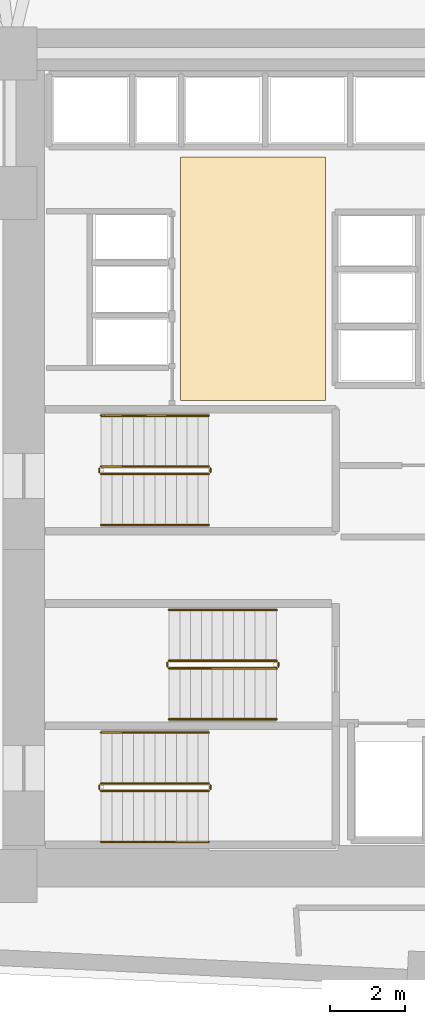
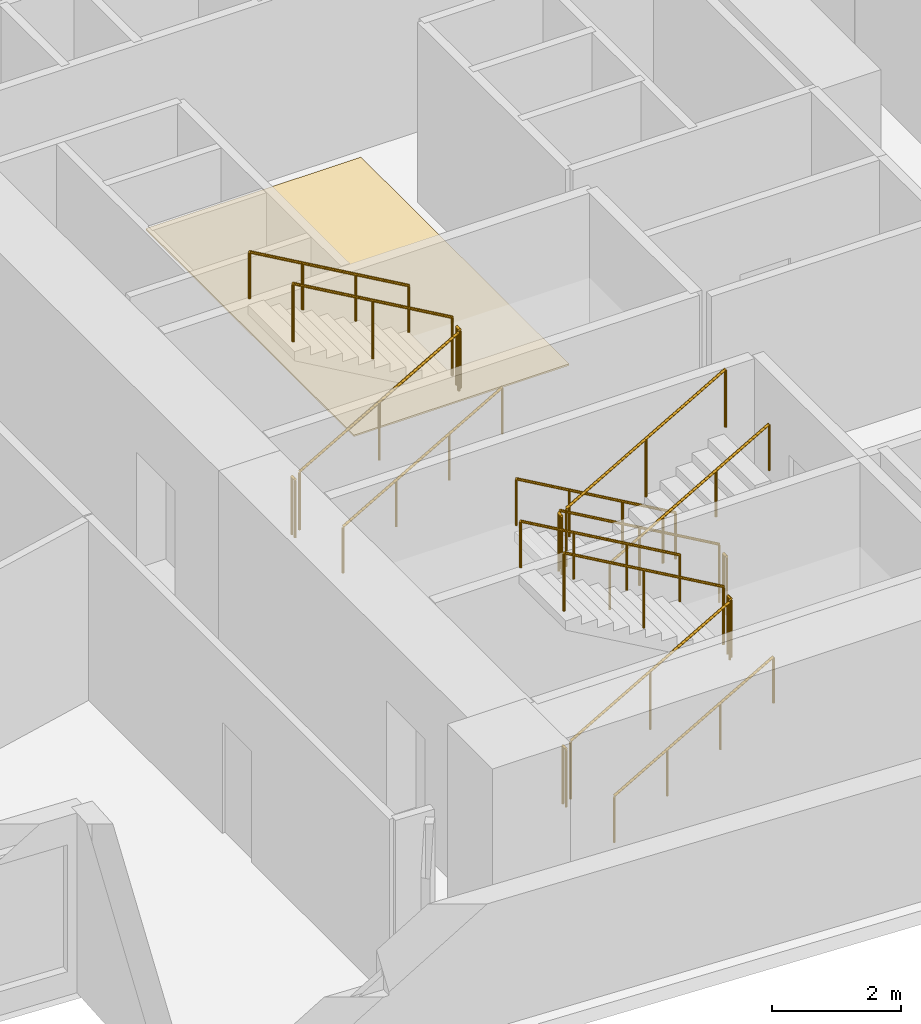
# One storey, part 16 of 17: 18 railings, 1 covering.
"""IFC4 building model written with IfcOpenShell, lengths in metres."""

import ifcopenshell
import ifcopenshell.guid

model = None  # the IFC model being written
_history = None  # IfcOwnerHistory: only IFC2X3 demands one
_inside = {}  # id of a spatial element -> (the spatial element, [elements in it])
_under = {}  # id of a project, library or spatial element -> (it, [spatial elements below it])
_declared = {}  # id of a project -> (the project, [libraries it declares])
_typed = {}  # id of a type object -> (the type object, [elements of that type])
_made_of = {}  # id of a material, layer set ... -> (it, [elements and type objects made of it])


def new_model(schema):
    """Start an empty IFC model of exactly this schema.

    Asked for "IFC4X3", IfcOpenShell would pick the latest addendum, in which some entities
    have other attributes; the version numbers below select the first issue.
    IFC2X3 requires an IfcOwnerHistory on every rooted entity: one is made here for all.
    """
    global model, _history
    if schema == "IFC4X3":
        model = ifcopenshell.file(schema_version=(4, 3, 0, 0))
    else:
        model = ifcopenshell.file(schema=schema)
    _inside.clear()
    _under.clear()
    _declared.clear()
    _typed.clear()
    _made_of.clear()
    _history = None
    if model.schema == "IFC2X3":
        org = make("IfcOrganization", Name="unknown")
        user = make(
            "IfcPersonAndOrganization",
            ThePerson=make("IfcPerson", FamilyName="unknown"),
            TheOrganization=org,
        )
        app = make(
            "IfcApplication",
            ApplicationDeveloper=org,
            Version="unknown",
            ApplicationFullName="unknown",
            ApplicationIdentifier="unknown",
        )
        _history = make(
            "IfcOwnerHistory",
            OwningUser=user,
            OwningApplication=app,
            ChangeAction="ADDED",
            CreationDate=0,
        )
    return model


def make(cls, **values):
    """One entity of the class cls with the attributes given. An attribute that is None is left unset."""
    return model.create_entity(
        cls, **{name: value for name, value in values.items() if value is not None}
    )


def rooted(cls, **values):
    """An entity with a GlobalId (a new one), such as an element, a storey or a relation."""
    return make(cls, GlobalId=ifcopenshell.guid.new(), OwnerHistory=_history, **values)


def si_unit(unit_type, name, prefix=None):
    """IfcSIUnit, for example si_unit("LENGTHUNIT", "METRE", prefix="MILLI")."""
    return make("IfcSIUnit", UnitType=unit_type, Prefix=prefix, Name=name)


def assignment(units):
    """IfcUnitAssignment: the units of a project."""
    return None if units is None else make("IfcUnitAssignment", Units=units)


def point(xyz):
    """IfcCartesianPoint."""
    return None if xyz is None else make("IfcCartesianPoint", Coordinates=xyz)


def direction(xyz):
    """IfcDirection."""
    return None if xyz is None else make("IfcDirection", DirectionRatios=xyz)


def frame(location, z_axis=None, x_axis=None):
    """IfcAxis2Placement3D, a coordinate frame: its origin and axes. An axis left out is left unset."""
    return make(
        "IfcAxis2Placement3D",
        Location=point(location),
        Axis=direction(z_axis),
        RefDirection=direction(x_axis),
    )


def frame_2d(location, x_axis=None):
    """IfcAxis2Placement2D, a coordinate frame in the plane: its origin and x axis."""
    return make(
        "IfcAxis2Placement2D", Location=point(location), RefDirection=direction(x_axis)
    )


def origin():
    """The frame at (0, 0, 0) with its axes left unset."""
    return frame((0.0, 0.0, 0.0))


def origin_2d():
    """The frame at (0, 0) in the plane with its x axis left unset."""
    return frame_2d((0.0, 0.0))


def place(relative_to, where):
    """IfcLocalPlacement: puts the frame where relative to a parent placement (None: the world)."""
    return make(
        "IfcLocalPlacement", PlacementRelTo=relative_to, RelativePlacement=where
    )


def context(
    kind, dimensions, precision=None, world=None, true_north=None, identifier=None
):
    """IfcGeometricRepresentationContext, for example the 3D "Model" context."""
    return make(
        "IfcGeometricRepresentationContext",
        ContextIdentifier=identifier,
        ContextType=kind,
        CoordinateSpaceDimension=dimensions,
        Precision=precision,
        WorldCoordinateSystem=world,
        TrueNorth=true_north,
    )


def subcontext(parent, identifier, kind, view, scale=None):
    """IfcGeometricRepresentationSubContext, for example "Body" below "Model"."""
    return make(
        "IfcGeometricRepresentationSubContext",
        ContextIdentifier=identifier,
        ContextType=kind,
        ParentContext=parent,
        TargetScale=scale,
        TargetView=view,
    )


def project(units=None, contexts=None):
    """IfcProject with its units and contexts."""
    return rooted(
        "IfcProject",
        Name="project",
        RepresentationContexts=contexts,
        UnitsInContext=assignment(units),
    )


def spatial(cls, under=None, at=None, **own):
    """A site, building, storey or space (cls), placed at a placement, below another one or the project."""
    s = rooted(cls, ObjectPlacement=at, **own)
    if under is not None:
        _under.setdefault(under.id(), (under, []))[1].append(s)
    return s


def polyline(points):
    """IfcPolyline through the points."""
    return make("IfcPolyline", Points=[point(p) for p in points])


def profile(cls, at=None, kind="AREA", **sizes):
    """A parametric profile (cls). Its sizes go by their IFC names, for example OverallWidth=200.0."""
    return make(cls, ProfileType=kind, Position=at, **sizes)


def circle(**sizes):
    """IfcCircleProfileDef."""
    return profile("IfcCircleProfileDef", **sizes)


def outline(outer, holes=None, kind="AREA"):
    """IfcArbitraryClosedProfileDef: a profile drawn as a closed curve; with holes, ...WithVoids."""
    if holes is None:
        return make("IfcArbitraryClosedProfileDef", ProfileType=kind, OuterCurve=outer)
    return make(
        "IfcArbitraryProfileDefWithVoids",
        ProfileType=kind,
        OuterCurve=outer,
        InnerCurves=holes,
    )


def extrude(swept, where, along, depth):
    """IfcExtrudedAreaSolid: the profile swept, set in the frame where, extruded along a direction by depth."""
    return make(
        "IfcExtrudedAreaSolid",
        SweptArea=swept,
        Position=where,
        ExtrudedDirection=direction(along),
        Depth=depth,
    )


def shape(context_of_items, identifier, shape_type, items):
    """IfcShapeRepresentation: the items that make up one representation, for example the "Body"."""
    return make(
        "IfcShapeRepresentation",
        ContextOfItems=context_of_items,
        RepresentationIdentifier=identifier,
        RepresentationType=shape_type,
        Items=items,
    )


def material(Name=None, Category=None):
    """IfcMaterial."""
    return make("IfcMaterial", Name=Name, Category=Category)


def layer(
    of_material, thickness, ventilated=None, Name=None, Category=None, Priority=None
):
    """IfcMaterialLayer: one layer of a wall or slab, of a material (None: an air gap)."""
    return make(
        "IfcMaterialLayer",
        Material=of_material,
        LayerThickness=thickness,
        IsVentilated=ventilated,
        Name=Name,
        Category=Category,
        Priority=Priority,
    )


def layer_set(layers, Name=None):
    """IfcMaterialLayerSet."""
    return make("IfcMaterialLayerSet", MaterialLayers=layers, LayerSetName=Name)


def made_of(thing, what):
    """Note that an element or type object is made of a material, layer set ...; save() writes the relation."""
    if what is not None:
        _made_of.setdefault(what.id(), (what, []))[1].append(thing)
    return thing


def type_object(cls, material=None, **own):
    """A type object (cls), such as IfcWallType, which elements share."""
    return made_of(rooted(cls, **own), material)


def element(
    cls,
    number,
    at=None,
    inside=None,
    cuts=None,
    type_object=None,
    material=None,
    context=None,
    identifier="Body",
    shape_type=None,
    held_by="IfcProductDefinitionShape",
    body=None,
    shapes=None,
    **own,
):
    """One element of the class cls, such as IfcWall. Its Tag is "e" and its number.

    at: its placement. inside: the storey or other place that contains it. cuts: it is an
    opening in that element (IfcRelVoidsElement). A single representation is given by context,
    identifier, shape_type and body (its items); several are given by shapes. held_by: the class
    of the entity that holds the representations. save() writes the other relations.
    """
    e = rooted(cls, Tag="e%d" % number, ObjectPlacement=at, **own)
    if body is not None:
        shapes = [shape(context, identifier, shape_type, body)]
    if shapes is not None:
        e.Representation = make(held_by, Representations=shapes)
    if inside is not None:
        _inside.setdefault(inside.id(), (inside, []))[1].append(e)
    if cuts is not None:
        rooted(
            "IfcRelVoidsElement", RelatingBuildingElement=cuts, RelatedOpeningElement=e
        )
    if type_object is not None:
        _typed.setdefault(type_object.id(), (type_object, []))[1].append(e)
    return made_of(e, material)


def aggregate(whole, parts):
    """IfcRelAggregates: a whole, such as a stair, and the parts it consists of."""
    return rooted("IfcRelAggregates", RelatingObject=whole, RelatedObjects=parts)


def save(model, path):
    """Write the relations noted so far, then the file.

    IfcRelAggregates (storeys below a building ...), IfcRelContainedInSpatialStructure (elements
    in a storey), IfcRelDefinesByType, IfcRelAssociatesMaterial and IfcRelDeclares: one each for
    every whole, place, type object, material and project.
    """
    for whole, parts in _under.values():
        aggregate(whole, parts)
    for where, things in _inside.values():
        rooted(
            "IfcRelContainedInSpatialStructure",
            RelatedElements=things,
            RelatingStructure=where,
        )
    for kind, things in _typed.values():
        rooted("IfcRelDefinesByType", RelatedObjects=things, RelatingType=kind)
    for what, things in _made_of.values():
        rooted("IfcRelAssociatesMaterial", RelatedObjects=things, RelatingMaterial=what)
    for by, libraries in _declared.values():
        rooted("IfcRelDeclares", RelatingContext=by, RelatedDefinitions=libraries)
    model.write(path)


model = new_model("IFC4")

# Units and contexts
model_context = context("Model", 3, precision=1e-05, world=origin(), true_north=direction((0.0, 1.0)))
body_context = subcontext(model_context, "Body", "Model", "MODEL_VIEW")
ifc_project = project(units=[si_unit("LENGTHUNIT", "METRE"), si_unit("AREAUNIT", "SQUARE_METRE"), si_unit("VOLUMEUNIT", "CUBIC_METRE"), si_unit("PLANEANGLEUNIT", "RADIAN"), si_unit("MASSUNIT", "GRAM", prefix="KILO")], contexts=[model_context])

# Site, building, storey
site_placement = place(None, origin())
site = spatial("IfcSite", under=ifc_project, at=site_placement, CompositionType="ELEMENT")
building_placement = place(site_placement, origin())
building = spatial("IfcBuilding", under=site, at=building_placement, Name="Narakoshi Arena Tower", CompositionType="ELEMENT")
storey_placement = place(building_placement, frame((0.0, 0.0, 48.300048828125)))
storey = spatial("IfcBuildingStorey", under=building, at=storey_placement, Name="L12", CompositionType="ELEMENT", Elevation=48.300048828125)

# Covering
ifc_material_1 = material(Name="Honed granite stone paving", Category="masonry")
ifc_layer = layer(ifc_material_1, 0.030029296875)
ifc_layer_set = layer_set([ifc_layer], Name="Honed granite stone paving")
covering_type = type_object("IfcCoveringType", Name="COV-FLR-ST30", PredefinedType="FLOORING", material=ifc_layer_set)
covering_placement = place(storey_placement, origin())
element("IfcCovering", 1, at=covering_placement, inside=storey, type_object=covering_type, Name="L12 Lift Lobby Granite Flooring", PredefinedType="FLOORING", context=body_context, shape_type="SweptSolid", body=[
    extrude(outline(polyline([(76.5, 47.300048828125), (80.35009765625, 47.300048828125), (80.35009765625, 53.75), (76.5, 53.75), (76.5, 47.300048828125)])), origin(), (0.0, 0.0, 1.0), 0.030029296875),
])

# Railings
ifc_material_2 = material(Name="Clear low-iron laminated structural glass", Category="glass")
railing_type_1 = type_object("IfcRailingType", Name="RL-BAL-1100", PredefinedType="BALUSTRADE", material=ifc_material_2)
railing_1_placement = place(storey_placement, frame((74.39990234375, 36.949951171875, 0.16357421875)))
element("IfcRailing", 2, at=railing_1_placement, inside=storey, type_object=railing_type_1, Name="L12 ST1 stair guard 1", PredefinedType="BALUSTRADE", context=body_context, shape_type="SweptSolid", body=[
    extrude(circle(Radius=0.02392578125, at=origin_2d()), frame((0.0, 0.0, 1.09619140625), z_axis=(0.86721270334, 0.0, 0.497937874806), x_axis=(0.0, 1.0, 0.0)), (0.0, 0.0, 1.0), 3.28662109375),
    extrude(circle(Radius=0.02099609375, at=origin_2d()), origin(), (0.0, 0.0, 1.0), 1.072021484375),
    extrude(circle(Radius=0.02099609375, at=origin_2d()), frame((1.425048828125, 0.0, 0.818359375)), (0.0, 0.0, 1.0), 1.072021484375),
    extrude(circle(Radius=0.02099609375, at=origin_2d()), frame((2.85009765625, 0.0, 1.636474609375)), (0.0, 0.0, 1.0), 1.072021484375),
])
railing_2_placement = place(storey_placement, frame((77.300048828125, 37.0, 1.800048828125)))
element("IfcRailing", 3, at=railing_2_placement, inside=storey, type_object=railing_type_1, Name="L12 ST1 stair guard 2", PredefinedType="BALUSTRADE", context=body_context, shape_type="SweptSolid", body=[
    extrude(circle(Radius=0.02392578125, at=origin_2d()), frame((0.0, 0.0, 1.09619140625), z_axis=(0.0, 1.0, 0.0), x_axis=(-1.0, 0.0, 0.0)), (0.0, 0.0, 1.0), 0.10009765625),
    extrude(circle(Radius=0.02099609375, at=origin_2d()), origin(), (0.0, 0.0, 1.0), 1.072021484375),
    extrude(circle(Radius=0.02099609375, at=origin_2d()), frame((0.0, 0.10009765625, 0.0)), (0.0, 0.0, 1.0), 1.072021484375),
])
railing_3_placement = place(storey_placement, frame((77.25, 37.14990234375, 1.963623046875)))
element("IfcRailing", 4, at=railing_3_placement, inside=storey, type_object=railing_type_1, Name="L12 ST1 stair guard 3", PredefinedType="BALUSTRADE", context=body_context, shape_type="SweptSolid", body=[
    extrude(circle(Radius=0.02392578125, at=origin_2d()), frame((0.0, 0.0, 1.09619140625), z_axis=(-0.867244780686, 0.0, 0.497882004468), x_axis=(0.0, -1.0, 0.0)), (0.0, 0.0, 1.0), 3.286376953125),
    extrude(circle(Radius=0.02099609375, at=origin_2d()), origin(), (0.0, 0.0, 1.0), 1.072021484375),
    extrude(circle(Radius=0.02099609375, at=origin_2d()), frame((-1.425048828125, 0.0, 0.818115234375)), (0.0, 0.0, 1.0), 1.072021484375),
    extrude(circle(Radius=0.02099609375, at=origin_2d()), frame((-2.85009765625, 0.0, 1.63623046875)), (0.0, 0.0, 1.0), 1.072021484375),
])
railing_4_placement = place(storey_placement, frame((74.35009765625, 37.0, 0.0)))
element("IfcRailing", 5, at=railing_4_placement, inside=storey, type_object=railing_type_1, Name="L12 ST1 stair guard 4", PredefinedType="BALUSTRADE", context=body_context, shape_type="SweptSolid", body=[
    extrude(circle(Radius=0.02392578125, at=origin_2d()), frame((0.0, 0.0, 1.09619140625), z_axis=(0.0, 1.0, 0.0), x_axis=(-1.0, 0.0, 0.0)), (0.0, 0.0, 1.0), 0.10009765625),
    extrude(circle(Radius=0.02099609375, at=origin_2d()), origin(), (0.0, 0.0, 1.0), 1.072021484375),
    extrude(circle(Radius=0.02099609375, at=origin_2d()), frame((0.0, 0.10009765625, 0.0)), (0.0, 0.0, 1.0), 1.072021484375),
])
railing_5_placement = place(storey_placement, frame((79.050048828125, 40.39990234375, 0.16357421875)))
element("IfcRailing", 6, at=railing_5_placement, inside=storey, type_object=railing_type_1, Name="L12 ST2 stair guard 1", PredefinedType="BALUSTRADE", context=body_context, shape_type="SweptSolid", body=[
    extrude(circle(Radius=0.02392578125, at=origin_2d()), frame((0.0, 0.0, 1.09619140625), z_axis=(-0.86721270334, 0.0, 0.497937874806), x_axis=(0.0, -1.0, 0.0)), (0.0, 0.0, 1.0), 3.28662109375),
    extrude(circle(Radius=0.02099609375, at=origin_2d()), origin(), (0.0, 0.0, 1.0), 1.072021484375),
    extrude(circle(Radius=0.02099609375, at=origin_2d()), frame((-1.425048828125, 0.0, 0.818359375)), (0.0, 0.0, 1.0), 1.072021484375),
    extrude(circle(Radius=0.02099609375, at=origin_2d()), frame((-2.85009765625, 0.0, 1.636474609375)), (0.0, 0.0, 1.0), 1.072021484375),
])
railing_6_placement = place(storey_placement, frame((76.14990234375, 40.35009765625, 1.800048828125)))
element("IfcRailing", 7, at=railing_6_placement, inside=storey, type_object=railing_type_1, Name="L12 ST2 stair guard 2", PredefinedType="BALUSTRADE", context=body_context, shape_type="SweptSolid", body=[
    extrude(circle(Radius=0.02392578125, at=origin_2d()), frame((0.0, 0.0, 1.09619140625), z_axis=(0.0, -1.0, 0.0), x_axis=(1.0, 0.0, 0.0)), (0.0, 0.0, 1.0), 0.10009765625),
    extrude(circle(Radius=0.02099609375, at=origin_2d()), origin(), (0.0, 0.0, 1.0), 1.072021484375),
    extrude(circle(Radius=0.02099609375, at=origin_2d()), frame((0.0, -0.10009765625, 0.0)), (0.0, 0.0, 1.0), 1.072021484375),
])
railing_7_placement = place(storey_placement, frame((76.199951171875, 40.199951171875, 1.963623046875)))
element("IfcRailing", 8, at=railing_7_placement, inside=storey, type_object=railing_type_1, Name="L12 ST2 stair guard 3", PredefinedType="BALUSTRADE", context=body_context, shape_type="SweptSolid", body=[
    extrude(circle(Radius=0.02392578125, at=origin_2d()), frame((0.0, 0.0, 1.09619140625), z_axis=(0.867244780686, 0.0, 0.497882004468), x_axis=(0.0, 1.0, 0.0)), (0.0, 0.0, 1.0), 3.286376953125),
    extrude(circle(Radius=0.02099609375, at=origin_2d()), origin(), (0.0, 0.0, 1.0), 1.072021484375),
    extrude(circle(Radius=0.02099609375, at=origin_2d()), frame((1.425048828125, 0.0, 0.818115234375)), (0.0, 0.0, 1.0), 1.072021484375),
    extrude(circle(Radius=0.02099609375, at=origin_2d()), frame((2.85009765625, 0.0, 1.63623046875)), (0.0, 0.0, 1.0), 1.072021484375),
])
railing_8_placement = place(storey_placement, frame((79.10009765625, 40.35009765625, 0.0)))
element("IfcRailing", 9, at=railing_8_placement, inside=storey, type_object=railing_type_1, Name="L12 ST2 stair guard 4", PredefinedType="BALUSTRADE", context=body_context, shape_type="SweptSolid", body=[
    extrude(circle(Radius=0.02392578125, at=origin_2d()), frame((0.0, 0.0, 1.09619140625), z_axis=(0.0, -1.0, 0.0), x_axis=(1.0, 0.0, 0.0)), (0.0, 0.0, 1.0), 0.10009765625),
    extrude(circle(Radius=0.02099609375, at=origin_2d()), origin(), (0.0, 0.0, 1.0), 1.072021484375),
    extrude(circle(Radius=0.02099609375, at=origin_2d()), frame((0.0, -0.10009765625, 0.0)), (0.0, 0.0, 1.0), 1.072021484375),
])
railing_9_placement = place(storey_placement, frame((74.39990234375, 45.35009765625, 0.16357421875)))
element("IfcRailing", 10, at=railing_9_placement, inside=storey, type_object=railing_type_1, Name="L12 ST3 stair guard 1", PredefinedType="BALUSTRADE", context=body_context, shape_type="SweptSolid", body=[
    extrude(circle(Radius=0.02392578125, at=origin_2d()), frame((0.0, 0.0, 1.09619140625), z_axis=(0.86721270334, 0.0, 0.497937874806), x_axis=(0.0, 1.0, 0.0)), (0.0, 0.0, 1.0), 3.28662109375),
    extrude(circle(Radius=0.02099609375, at=origin_2d()), origin(), (0.0, 0.0, 1.0), 1.072021484375),
    extrude(circle(Radius=0.02099609375, at=origin_2d()), frame((1.425048828125, 0.0, 0.818359375)), (0.0, 0.0, 1.0), 1.072021484375),
    extrude(circle(Radius=0.02099609375, at=origin_2d()), frame((2.85009765625, 0.0, 1.636474609375)), (0.0, 0.0, 1.0), 1.072021484375),
])
railing_10_placement = place(storey_placement, frame((77.300048828125, 45.39990234375, 1.800048828125)))
element("IfcRailing", 11, at=railing_10_placement, inside=storey, type_object=railing_type_1, Name="L12 ST3 stair guard 2", PredefinedType="BALUSTRADE", context=body_context, shape_type="SweptSolid", body=[
    extrude(circle(Radius=0.02392578125, at=origin_2d()), frame((0.0, 0.0, 1.09619140625), z_axis=(0.0, 1.0, 0.0), x_axis=(-1.0, 0.0, 0.0)), (0.0, 0.0, 1.0), 0.10009765625),
    extrude(circle(Radius=0.02099609375, at=origin_2d()), origin(), (0.0, 0.0, 1.0), 1.072021484375),
    extrude(circle(Radius=0.02099609375, at=origin_2d()), frame((0.0, 0.10009765625, 0.0)), (0.0, 0.0, 1.0), 1.072021484375),
])
railing_11_placement = place(storey_placement, frame((77.25, 45.550048828125, 1.963623046875)))
element("IfcRailing", 12, at=railing_11_placement, inside=storey, type_object=railing_type_1, Name="L12 ST3 stair guard 3", PredefinedType="BALUSTRADE", context=body_context, shape_type="SweptSolid", body=[
    extrude(circle(Radius=0.02392578125, at=origin_2d()), frame((0.0, 0.0, 1.09619140625), z_axis=(-0.867244780686, 0.0, 0.497882004468), x_axis=(0.0, -1.0, 0.0)), (0.0, 0.0, 1.0), 3.286376953125),
    extrude(circle(Radius=0.02099609375, at=origin_2d()), origin(), (0.0, 0.0, 1.0), 1.072021484375),
    extrude(circle(Radius=0.02099609375, at=origin_2d()), frame((-1.425048828125, 0.0, 0.818115234375)), (0.0, 0.0, 1.0), 1.072021484375),
    extrude(circle(Radius=0.02099609375, at=origin_2d()), frame((-2.85009765625, 0.0, 1.63623046875)), (0.0, 0.0, 1.0), 1.072021484375),
])
railing_12_placement = place(storey_placement, frame((74.35009765625, 45.39990234375, 0.0)))
element("IfcRailing", 13, at=railing_12_placement, inside=storey, type_object=railing_type_1, Name="L12 ST3 stair guard 4", PredefinedType="BALUSTRADE", context=body_context, shape_type="SweptSolid", body=[
    extrude(circle(Radius=0.02392578125, at=origin_2d()), frame((0.0, 0.0, 1.09619140625), z_axis=(0.0, 1.0, 0.0), x_axis=(-1.0, 0.0, 0.0)), (0.0, 0.0, 1.0), 0.10009765625),
    extrude(circle(Radius=0.02099609375, at=origin_2d()), origin(), (0.0, 0.0, 1.0), 1.072021484375),
    extrude(circle(Radius=0.02099609375, at=origin_2d()), frame((0.0, 0.10009765625, 0.0)), (0.0, 0.0, 1.0), 1.072021484375),
])
ifc_material_3 = material(Name="Brushed bronze stainless steel", Category="steel")
railing_type_2 = type_object("IfcRailingType", Name="RL-HND-900", PredefinedType="HANDRAIL", material=ifc_material_3)
railing_13_placement = place(storey_placement, frame((74.39990234375, 35.60009765625, 0.16357421875)))
element("IfcRailing", 14, at=railing_13_placement, inside=storey, type_object=railing_type_2, Name="L12 ST1 stair handrail 1", PredefinedType="HANDRAIL", context=body_context, shape_type="SweptSolid", body=[
    extrude(circle(Radius=0.02392578125, at=origin_2d()), frame((0.0, 0.0, 0.8759765625), z_axis=(0.86721270334, 0.0, 0.497937874806), x_axis=(0.0, 1.0, 0.0)), (0.0, 0.0, 1.0), 3.28662109375),
    extrude(circle(Radius=0.02099609375, at=origin_2d()), origin(), (0.0, 0.0, 1.0), 0.851806640625),
    extrude(circle(Radius=0.02099609375, at=origin_2d()), frame((0.949951171875, 0.0, 0.54541015625)), (0.0, 0.0, 1.0), 0.851806640625),
    extrude(circle(Radius=0.02099609375, at=origin_2d()), frame((1.900146484375, 0.0, 1.091064453125)), (0.0, 0.0, 1.0), 0.851806640625),
    extrude(circle(Radius=0.02099609375, at=origin_2d()), frame((2.85009765625, 0.0, 1.636474609375)), (0.0, 0.0, 1.0), 0.851806640625),
])
railing_14_placement = place(storey_placement, frame((77.25, 38.5, 1.963623046875)))
element("IfcRailing", 15, at=railing_14_placement, inside=storey, type_object=railing_type_2, Name="L12 ST1 stair handrail 2", PredefinedType="HANDRAIL", context=body_context, shape_type="SweptSolid", body=[
    extrude(circle(Radius=0.02392578125, at=origin_2d()), frame((0.0, 0.0, 0.8759765625), z_axis=(-0.867244780686, 0.0, 0.497882004468), x_axis=(0.0, -1.0, 0.0)), (0.0, 0.0, 1.0), 3.286376953125),
    extrude(circle(Radius=0.02099609375, at=origin_2d()), origin(), (0.0, 0.0, 1.0), 0.851806640625),
    extrude(circle(Radius=0.02099609375, at=origin_2d()), frame((-0.949951171875, 0.0, 0.54541015625)), (0.0, 0.0, 1.0), 0.851806640625),
    extrude(circle(Radius=0.02099609375, at=origin_2d()), frame((-1.900146484375, 0.0, 1.0908203125)), (0.0, 0.0, 1.0), 0.851806640625),
    extrude(circle(Radius=0.02099609375, at=origin_2d()), frame((-2.85009765625, 0.0, 1.63623046875)), (0.0, 0.0, 1.0), 0.851806640625),
])
railing_15_placement = place(storey_placement, frame((79.050048828125, 41.75, 0.16357421875)))
element("IfcRailing", 16, at=railing_15_placement, inside=storey, type_object=railing_type_2, Name="L12 ST2 stair handrail 1", PredefinedType="HANDRAIL", context=body_context, shape_type="SweptSolid", body=[
    extrude(circle(Radius=0.02392578125, at=origin_2d()), frame((0.0, 0.0, 0.8759765625), z_axis=(-0.86721270334, 0.0, 0.497937874806), x_axis=(0.0, -1.0, 0.0)), (0.0, 0.0, 1.0), 3.28662109375),
    extrude(circle(Radius=0.02099609375, at=origin_2d()), origin(), (0.0, 0.0, 1.0), 0.851806640625),
    extrude(circle(Radius=0.02099609375, at=origin_2d()), frame((-0.949951171875, 0.0, 0.54541015625)), (0.0, 0.0, 1.0), 0.851806640625),
    extrude(circle(Radius=0.02099609375, at=origin_2d()), frame((-1.900146484375, 0.0, 1.091064453125)), (0.0, 0.0, 1.0), 0.851806640625),
    extrude(circle(Radius=0.02099609375, at=origin_2d()), frame((-2.85009765625, 0.0, 1.636474609375)), (0.0, 0.0, 1.0), 0.851806640625),
])
railing_16_placement = place(storey_placement, frame((76.199951171875, 38.85009765625, 1.963623046875)))
element("IfcRailing", 17, at=railing_16_placement, inside=storey, type_object=railing_type_2, Name="L12 ST2 stair handrail 2", PredefinedType="HANDRAIL", context=body_context, shape_type="SweptSolid", body=[
    extrude(circle(Radius=0.02392578125, at=origin_2d()), frame((0.0, 0.0, 0.8759765625), z_axis=(0.867244780686, 0.0, 0.497882004468), x_axis=(0.0, 1.0, 0.0)), (0.0, 0.0, 1.0), 3.286376953125),
    extrude(circle(Radius=0.02099609375, at=origin_2d()), origin(), (0.0, 0.0, 1.0), 0.851806640625),
    extrude(circle(Radius=0.02099609375, at=origin_2d()), frame((0.949951171875, 0.0, 0.54541015625)), (0.0, 0.0, 1.0), 0.851806640625),
    extrude(circle(Radius=0.02099609375, at=origin_2d()), frame((1.900146484375, 0.0, 1.0908203125)), (0.0, 0.0, 1.0), 0.851806640625),
    extrude(circle(Radius=0.02099609375, at=origin_2d()), frame((2.85009765625, 0.0, 1.63623046875)), (0.0, 0.0, 1.0), 0.851806640625),
])
railing_17_placement = place(storey_placement, frame((74.39990234375, 44.0, 0.16357421875)))
element("IfcRailing", 18, at=railing_17_placement, inside=storey, type_object=railing_type_2, Name="L12 ST3 stair handrail 1", PredefinedType="HANDRAIL", context=body_context, shape_type="SweptSolid", body=[
    extrude(circle(Radius=0.02392578125, at=origin_2d()), frame((0.0, 0.0, 0.8759765625), z_axis=(0.86721270334, 0.0, 0.497937874806), x_axis=(0.0, 1.0, 0.0)), (0.0, 0.0, 1.0), 3.28662109375),
    extrude(circle(Radius=0.02099609375, at=origin_2d()), origin(), (0.0, 0.0, 1.0), 0.851806640625),
    extrude(circle(Radius=0.02099609375, at=origin_2d()), frame((0.949951171875, 0.0, 0.54541015625)), (0.0, 0.0, 1.0), 0.851806640625),
    extrude(circle(Radius=0.02099609375, at=origin_2d()), frame((1.900146484375, 0.0, 1.091064453125)), (0.0, 0.0, 1.0), 0.851806640625),
    extrude(circle(Radius=0.02099609375, at=origin_2d()), frame((2.85009765625, 0.0, 1.636474609375)), (0.0, 0.0, 1.0), 0.851806640625),
])
railing_18_placement = place(storey_placement, frame((77.25, 46.89990234375, 1.963623046875)))
element("IfcRailing", 19, at=railing_18_placement, inside=storey, type_object=railing_type_2, Name="L12 ST3 stair handrail 2", PredefinedType="HANDRAIL", context=body_context, shape_type="SweptSolid", body=[
    extrude(circle(Radius=0.02392578125, at=origin_2d()), frame((0.0, 0.0, 0.8759765625), z_axis=(-0.867244780686, 0.0, 0.497882004468), x_axis=(0.0, -1.0, 0.0)), (0.0, 0.0, 1.0), 3.286376953125),
    extrude(circle(Radius=0.02099609375, at=origin_2d()), origin(), (0.0, 0.0, 1.0), 0.851806640625),
    extrude(circle(Radius=0.02099609375, at=origin_2d()), frame((-0.949951171875, 0.0, 0.54541015625)), (0.0, 0.0, 1.0), 0.851806640625),
    extrude(circle(Radius=0.02099609375, at=origin_2d()), frame((-1.900146484375, 0.0, 1.0908203125)), (0.0, 0.0, 1.0), 0.851806640625),
    extrude(circle(Radius=0.02099609375, at=origin_2d()), frame((-2.85009765625, 0.0, 1.63623046875)), (0.0, 0.0, 1.0), 0.851806640625),
])

save(model, "model.ifc")
